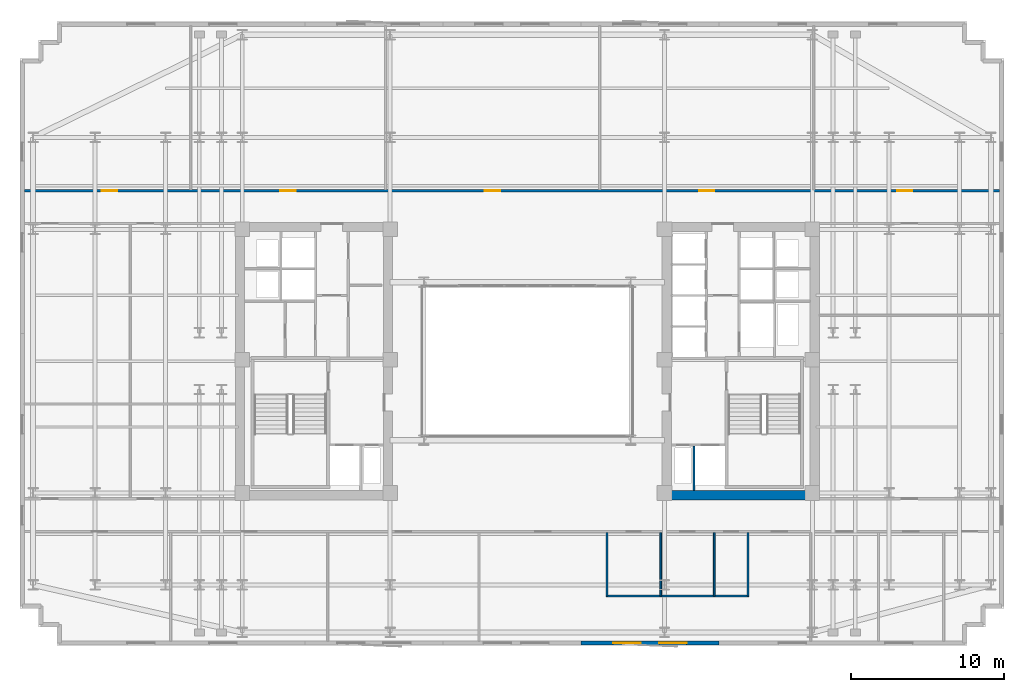
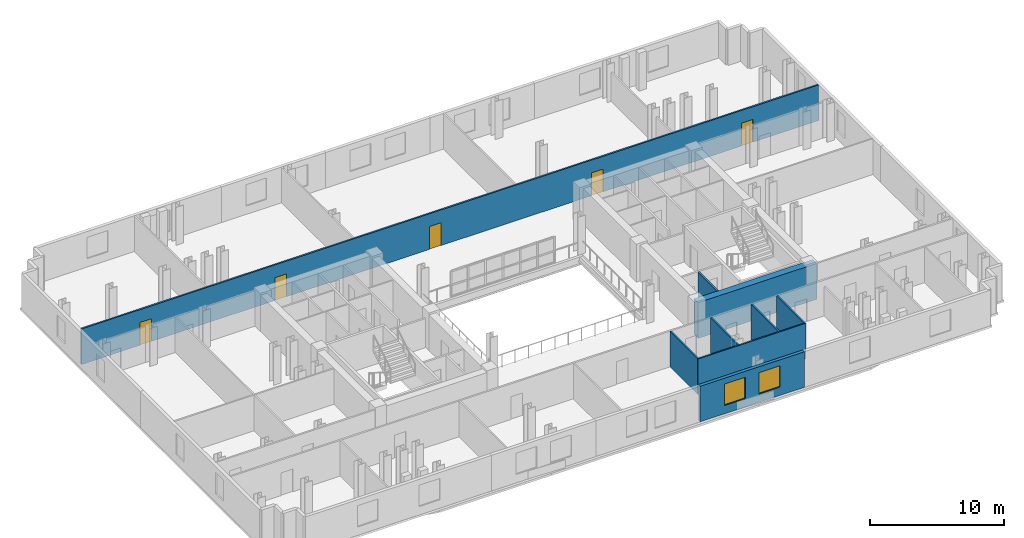
# One storey, part 8 of 12: 9 walls, 5 doors, 2 windows, 7 openings.
"""IFC4 building model written with IfcOpenShell, lengths in metres."""

from ifc_helpers import new_model, si_unit, direction, frame, frame_2d, origin, place, context, subcontext, project, spatial, rectangle, extrude, material, layer, layer_set, type_object, element, fill, save


model = new_model("IFC4")

# Units and contexts
model_context = context("Model", 3, precision=1e-05, world=origin(), true_north=direction((0.0, 1.0)))
body_context = subcontext(model_context, "Body", "Model", "MODEL_VIEW")
ifc_project = project(units=[si_unit("LENGTHUNIT", "METRE"), si_unit("AREAUNIT", "SQUARE_METRE"), si_unit("VOLUMEUNIT", "CUBIC_METRE"), si_unit("PLANEANGLEUNIT", "RADIAN"), si_unit("MASSUNIT", "GRAM", prefix="KILO")], contexts=[model_context])

# Site, building, storey
site_placement = place(None, origin())
site = spatial("IfcSite", under=ifc_project, at=site_placement, CompositionType="ELEMENT")
building_placement = place(site_placement, origin())
building = spatial("IfcBuilding", under=site, at=building_placement, Name="Velakula Bourse", CompositionType="ELEMENT")
storey_placement = place(building_placement, frame((0.0, 0.0, 134.64990234375)))
storey = spatial("IfcBuildingStorey", under=building, at=storey_placement, Name="L36", CompositionType="ELEMENT", Elevation=134.64990234375)

# Wall
ifc_material_1 = material(Name="Concrete M70 (fck 70 MPa)", Category="concrete")
ifc_layer_1 = layer(ifc_material_1, 0.60009765625, Name="Concrete M70 (fck 70 MPa)", Category="concrete")
ifc_layer_set_1 = layer_set([ifc_layer_1], Name="Concrete M70 (fck 70 MPa)")
wall_type_1 = type_object("IfcWallType", Name="WL-CORE-600", PredefinedType="SHEAR", material=ifc_layer_set_1)
wall_1_placement = place(storey_placement, frame((8.800048828125, -8.75, 0.0), z_axis=(0.0, 0.0, 1.0), x_axis=(1.0, 0.0, 0.0)))
element("IfcWall", 1, at=wall_1_placement, inside=storey, type_object=wall_type_1, Name="L36 Core E Shear Wall S", PredefinedType="SHEAR", context=body_context, shape_type="SweptSolid", body=[
    extrude(rectangle(XDim=10.25, YDim=0.60009765625, at=frame_2d((5.125, 0.0))), origin(), (0.0, 0.0, 1.0), 3.27001953125),
])

# Wall, openings, windows
ifc_material_2 = material(Name="Red kilned clay facing brick masonry", Category="masonry")
ifc_layer_2 = layer(ifc_material_2, 0.280029296875, Name="Red kilned clay facing brick masonry", Category="masonry")
ifc_layer_set_2 = layer_set([ifc_layer_2], Name="Red kilned clay facing brick masonry")
wall_type_2 = type_object("IfcWallType", Name="WL-EXT-BRK-280", PredefinedType="STANDARD", material=ifc_layer_set_2)
wall_2_placement = place(storey_placement, frame((12.5, -18.389892578125, 0.0), z_axis=(0.0, 0.0, 1.0), x_axis=(-1.0, 0.0, 0.0)))
wall_2 = element("IfcWall", 2, at=wall_2_placement, inside=storey, type_object=wall_type_2, Name="L36 S Brick Spandrel Wall B4", PredefinedType="STANDARD", context=body_context, shape_type="SweptSolid", body=[
    extrude(rectangle(XDim=9.0, YDim=0.280029296875, at=frame_2d((4.5, 0.0))), origin(), (0.0, 0.0, 1.0), 3.25),
])
opening_1_placement = place(wall_2_placement, frame((2.10009765625, 0.0, 0.760009765625)))
opening_1 = element("IfcOpeningElement", 3, at=opening_1_placement, cuts=wall_2, Name="Opening W-01", PredefinedType="OPENING", context=body_context, shape_type="SweptSolid", body=[
    extrude(rectangle(XDim=1.800048828125, YDim=1.949951171875, at=frame_2d((0.89990234375, 0.97509765625))), frame((0.0, 0.14990234375, 0.0), z_axis=(0.0, -1.0, 0.0), x_axis=(1.0, 0.0, 0.0)), (0.0, 0.0, 1.0), 0.300048828125),
])
opening_2_placement = place(wall_2_placement, frame((5.10009765625, 0.0, 0.760009765625)))
opening_2 = element("IfcOpeningElement", 4, at=opening_2_placement, cuts=wall_2, Name="Opening W-01", PredefinedType="OPENING", context=body_context, shape_type="SweptSolid", body=[
    extrude(rectangle(XDim=1.800048828125, YDim=1.949951171875, at=frame_2d((0.89990234375, 0.97509765625))), frame((0.0, 0.14990234375, 0.0), z_axis=(0.0, -1.0, 0.0), x_axis=(1.0, 0.0, 0.0)), (0.0, 0.0, 1.0), 0.300048828125),
])
ifc_material_3 = material(Name="Double-glazed solar-control Low-E glass", Category="glass")
window_type = type_object("IfcWindowType", Name="WIN-TWR-1800x2100", PartitioningType="SINGLE_PANEL", PredefinedType="WINDOW", material=ifc_material_3)
window_1_placement = place(opening_1_placement, origin())
window_1 = element("IfcWindow", 5, at=window_1_placement, inside=storey, type_object=window_type, Name="L36 Deep-Set Recessed Window 1", OverallHeight=1.949951171875, OverallWidth=1.800048828125, PartitioningType="SINGLE_PANEL", PredefinedType="WINDOW", context=body_context, shape_type="SweptSolid", body=[
    extrude(rectangle(XDim=1.800048828125, YDim=1.949951171875, at=frame_2d((0.89990234375, 0.97509765625))), frame((0.0, 0.030029296875, 0.0), z_axis=(0.0, -1.0, 0.0), x_axis=(1.0, 0.0, 0.0)), (0.0, 0.0, 1.0), 0.06005859375),
])
fill(opening_1, window_1)
window_2_placement = place(opening_2_placement, origin())
window_2 = element("IfcWindow", 6, at=window_2_placement, inside=storey, type_object=window_type, Name="L36 Deep-Set Recessed Window 2", OverallHeight=1.949951171875, OverallWidth=1.800048828125, PartitioningType="SINGLE_PANEL", PredefinedType="WINDOW", context=body_context, shape_type="SweptSolid", body=[
    extrude(rectangle(XDim=1.800048828125, YDim=1.949951171875, at=frame_2d((0.89990234375, 0.97509765625))), frame((0.0, 0.030029296875, 0.0), z_axis=(0.0, -1.0, 0.0), x_axis=(1.0, 0.0, 0.0)), (0.0, 0.0, 1.0), 0.06005859375),
])
fill(opening_2, window_2)

# Walls
ifc_material_4 = material(Name="Fire-rated double-layer gypsum drywall partition", Category="gypsum")
ifc_layer_3 = layer(ifc_material_4, 0.1201171875, Name="Fire-rated double-layer gypsum drywall partition", Category="gypsum")
ifc_layer_set_3 = layer_set([ifc_layer_3], Name="Fire-rated double-layer gypsum drywall partition")
wall_type_3 = type_object("IfcWallType", Name="WL-PART-120", PredefinedType="STANDARD", material=ifc_layer_set_3)
wall_3_placement = place(storey_placement, frame((5.139892578125, -15.320068359375, 0.0), z_axis=(0.0, 0.0, 1.0), x_axis=(1.0, 0.0, 0.0)))
element("IfcWall", 7, at=wall_3_placement, inside=storey, type_object=wall_type_3, Name="L36 Interior Partition WL-WC-L36-BACK", PredefinedType="STANDARD", context=body_context, shape_type="SweptSolid", body=[
    extrude(rectangle(XDim=9.320068359375, YDim=0.1201171875, at=frame_2d((4.66015625, 0.0))), origin(), (0.0, 0.0, 1.0), 3.25),
])
for number, where, z_axis, x_axis, name in (
    (8, (5.199951171875, -15.320068359375, 0.0), (0.0, 0.0, 1.0), (0.0, 1.0, 0.0), "L36 Interior Partition WL-WC-L36-V1"),
    (9, (8.699951171875, -15.320068359375, 0.0), (0.0, 0.0, 1.0), (0.0, 1.0, 0.0), "L36 Interior Partition WL-WC-L36-V2"),
    (10, (12.199951171875, -15.320068359375, 0.0), (0.0, 0.0, 1.0), (0.0, 1.0, 0.0), "L36 Interior Partition WL-WC-L36-V3"),
    (11, (14.39990234375, -15.320068359375, 0.0), (0.0, 0.0, 1.0), (0.0, 1.0, 0.0), "L36 Interior Partition WL-WC-L36-V4"),
):
    element("IfcWall", number, at=place(storey_placement, frame(where, z_axis=z_axis, x_axis=x_axis)), inside=storey, type_object=wall_type_3, Name=name, PredefinedType="STANDARD", context=body_context, shape_type="SweptSolid", body=[
        extrude(rectangle(XDim=4.130126953125, YDim=0.1201171875, at=frame_2d((2.06494140625, 0.0))), origin(), (0.0, 0.0, 1.0), 3.25),
    ])

# Wall, openings, doors
ifc_layer_4 = layer(ifc_material_4, 0.139892578125, Name="Fire-rated double-layer gypsum drywall partition", Category="gypsum")
ifc_layer_set_4 = layer_set([ifc_layer_4], Name="Fire-rated double-layer gypsum drywall partition")
wall_type_4 = type_object("IfcWallType", Name="WL-PART-140", PredefinedType="STANDARD", material=ifc_layer_set_4)
wall_4_placement = place(storey_placement, frame((-32.820068359375, 11.1201171875, 0.0), z_axis=(0.0, 0.0, 1.0), x_axis=(1.0, 0.0, 0.0)))
wall_4 = element("IfcWall", 12, at=wall_4_placement, inside=storey, type_object=wall_type_4, Name="L36 Interior Partition WL-INT-L36-N-CORR", PredefinedType="STANDARD", context=body_context, shape_type="SweptSolid", body=[
    extrude(rectangle(XDim=63.64013671875, YDim=0.139892578125, at=frame_2d((31.820068359375, 0.0))), origin(), (0.0, 0.0, 1.0), 3.25),
])
opening_3_placement = place(wall_4_placement, frame((5.054931640625, 0.0, 0.0)))
opening_3 = element("IfcOpeningElement", 13, at=opening_3_placement, cuts=wall_4, Name="Opening D-OF1", PredefinedType="OPENING", context=body_context, shape_type="SweptSolid", body=[
    extrude(rectangle(XDim=1.0, YDim=2.080078125, at=frame_2d((0.5, 1.0400390625))), frame((0.0, 0.079833984375, 0.0), z_axis=(0.0, -1.0, 0.0), x_axis=(1.0, 0.0, 0.0)), (0.0, 0.0, 1.0), 0.159912109375),
])
opening_4_placement = place(wall_4_placement, frame((16.7099609375, 0.0, 0.0)))
opening_4 = element("IfcOpeningElement", 14, at=opening_4_placement, cuts=wall_4, Name="Opening D-OF1", PredefinedType="OPENING", context=body_context, shape_type="SweptSolid", body=[
    extrude(rectangle(XDim=1.0, YDim=2.080078125, at=frame_2d((0.5, 1.0400390625))), frame((0.0, 0.079833984375, 0.0), z_axis=(0.0, -1.0, 0.0), x_axis=(1.0, 0.0, 0.0)), (0.0, 0.0, 1.0), 0.159912109375),
])
opening_5_placement = place(wall_4_placement, frame((30.049560546875, 0.0, 0.0)))
opening_5 = element("IfcOpeningElement", 15, at=opening_5_placement, cuts=wall_4, Name="Opening D-OF1", PredefinedType="OPENING", context=body_context, shape_type="SweptSolid", body=[
    extrude(rectangle(XDim=1.0, YDim=2.080078125, at=frame_2d((0.5, 1.0400390625))), frame((0.0, 0.079833984375, 0.0), z_axis=(0.0, -1.0, 0.0), x_axis=(1.0, 0.0, 0.0)), (0.0, 0.0, 1.0), 0.159912109375),
])
opening_6_placement = place(wall_4_placement, frame((44.02392578125, 0.0, 0.0)))
opening_6 = element("IfcOpeningElement", 16, at=opening_6_placement, cuts=wall_4, Name="Opening D-OF1", PredefinedType="OPENING", context=body_context, shape_type="SweptSolid", body=[
    extrude(rectangle(XDim=1.0, YDim=2.080078125, at=frame_2d((0.5, 1.0400390625))), frame((0.0, 0.079833984375, 0.0), z_axis=(0.0, -1.0, 0.0), x_axis=(1.0, 0.0, 0.0)), (0.0, 0.0, 1.0), 0.159912109375),
])
opening_7_placement = place(wall_4_placement, frame((56.949462890625, 0.0, 0.0)))
opening_7 = element("IfcOpeningElement", 17, at=opening_7_placement, cuts=wall_4, Name="Opening D-OF1", PredefinedType="OPENING", context=body_context, shape_type="SweptSolid", body=[
    extrude(rectangle(XDim=1.0, YDim=2.080078125, at=frame_2d((0.5, 1.0400390625))), frame((0.0, 0.079833984375, 0.0), z_axis=(0.0, -1.0, 0.0), x_axis=(1.0, 0.0, 0.0)), (0.0, 0.0, 1.0), 0.159912109375),
])
ifc_material_5 = material(Name="Fire-rated hardwood flush architectural door", Category="wood")
door_type = type_object("IfcDoorType", Name="DR-OFF-1000", OperationType="NOTDEFINED", PredefinedType="DOOR", material=ifc_material_5)
door_1_placement = place(opening_3_placement, origin())
door_1 = element("IfcDoor", 18, at=door_1_placement, inside=storey, type_object=door_type, Name="L36 Sovereign Wealth Desk Workspace Door", OperationType="SINGLE_SWING_LEFT", OverallHeight=2.080078125, OverallWidth=1.0, PredefinedType="DOOR", context=body_context, shape_type="SweptSolid", body=[
    extrude(rectangle(XDim=1.0, YDim=2.080078125, at=frame_2d((0.5, 1.0400390625))), frame((0.0, 0.02490234375, 0.0), z_axis=(0.0, -1.0, 0.0), x_axis=(1.0, 0.0, 0.0)), (0.0, 0.0, 1.0), 0.050048828125),
])
fill(opening_3, door_1)
door_2_placement = place(opening_4_placement, origin())
door_2 = element("IfcDoor", 19, at=door_2_placement, inside=storey, type_object=door_type, Name="L36 Peer Review Boardroom Door", OperationType="SINGLE_SWING_RIGHT", OverallHeight=2.080078125, OverallWidth=1.0, PredefinedType="DOOR", context=body_context, shape_type="SweptSolid", body=[
    extrude(rectangle(XDim=1.0, YDim=2.080078125, at=frame_2d((0.5, 1.0400390625))), frame((0.0, 0.02490234375, 0.0), z_axis=(0.0, -1.0, 0.0), x_axis=(1.0, 0.0, 0.0)), (0.0, 0.0, 1.0), 0.050048828125),
])
fill(opening_4, door_2)
door_3_placement = place(opening_5_placement, origin())
door_3 = element("IfcDoor", 20, at=door_3_placement, inside=storey, type_object=door_type, Name="L36 Catering Servery Pantry Door", OperationType="SINGLE_SWING_LEFT", OverallHeight=2.080078125, OverallWidth=1.0, PredefinedType="DOOR", context=body_context, shape_type="SweptSolid", body=[
    extrude(rectangle(XDim=1.0, YDim=2.080078125, at=frame_2d((0.5, 1.0400390625))), frame((0.0, 0.02490234375, 0.0), z_axis=(0.0, -1.0, 0.0), x_axis=(1.0, 0.0, 0.0)), (0.0, 0.0, 1.0), 0.050048828125),
])
fill(opening_5, door_3)
door_4_placement = place(opening_6_placement, origin())
door_4 = element("IfcDoor", 21, at=door_4_placement, inside=storey, type_object=door_type, Name="L36 Breakout Dining Lounge Door", OperationType="SINGLE_SWING_RIGHT", OverallHeight=2.080078125, OverallWidth=1.0, PredefinedType="DOOR", context=body_context, shape_type="SweptSolid", body=[
    extrude(rectangle(XDim=1.0, YDim=2.080078125, at=frame_2d((0.5, 1.0400390625))), frame((0.0, 0.02490234375, 0.0), z_axis=(0.0, -1.0, 0.0), x_axis=(1.0, 0.0, 0.0)), (0.0, 0.0, 1.0), 0.050048828125),
])
fill(opening_6, door_4)
door_5_placement = place(opening_7_placement, origin())
door_5 = element("IfcDoor", 22, at=door_5_placement, inside=storey, type_object=door_type, Name="L36 Bullion Assay Office Door", OperationType="SINGLE_SWING_LEFT", OverallHeight=2.080078125, OverallWidth=1.0, PredefinedType="DOOR", context=body_context, shape_type="SweptSolid", body=[
    extrude(rectangle(XDim=1.0, YDim=2.080078125, at=frame_2d((0.5, 1.0400390625))), frame((0.0, 0.02490234375, 0.0), z_axis=(0.0, -1.0, 0.0), x_axis=(1.0, 0.0, 0.0)), (0.0, 0.0, 1.0), 0.050048828125),
])
fill(opening_7, door_5)

# Wall
ifc_material_6 = material(Name="Autoclaved aerated concrete blockwork masonry", Category="masonry")
ifc_layer_5 = layer(ifc_material_6, 0.14990234375, Name="Autoclaved aerated concrete blockwork masonry", Category="masonry")
ifc_layer_set_5 = layer_set([ifc_layer_5], Name="Autoclaved aerated concrete blockwork masonry")
wall_type_5 = type_object("IfcWallType", Name="WL-SHAFT-150", PredefinedType="STANDARD", material=ifc_layer_set_5)
wall_5_placement = place(storey_placement, frame((10.875, -8.449951171875, 0.0), z_axis=(0.0, 0.0, 1.0), x_axis=(0.0, 1.0, 0.0)))
element("IfcWall", 23, at=wall_5_placement, inside=storey, type_object=wall_type_5, Name="L36 Interior Partition WL-CRE-L36-FR-DIV", PredefinedType="STANDARD", context=body_context, shape_type="SweptSolid", body=[
    extrude(rectangle(XDim=2.89990234375, YDim=0.14990234375, at=frame_2d((1.449951171875, 0.0))), origin(), (0.0, 0.0, 1.0), 3.25),
])

save(model, "model.ifc")
